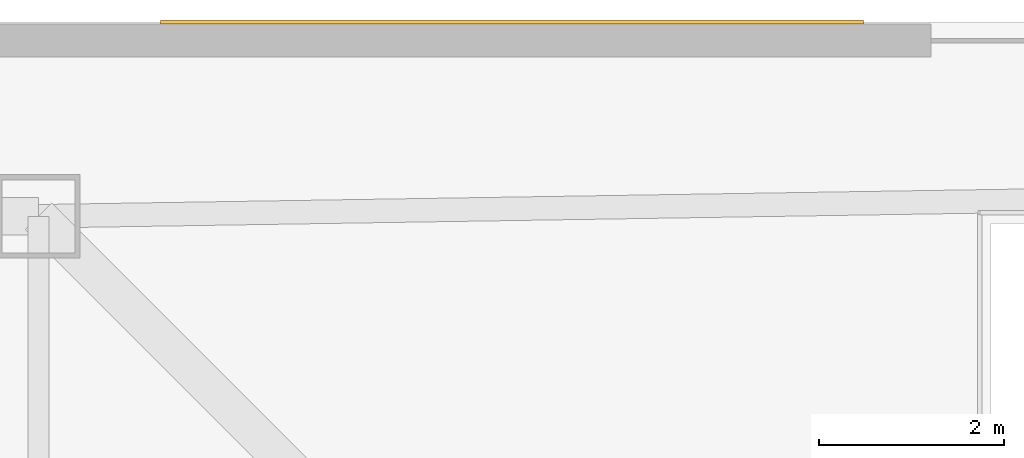
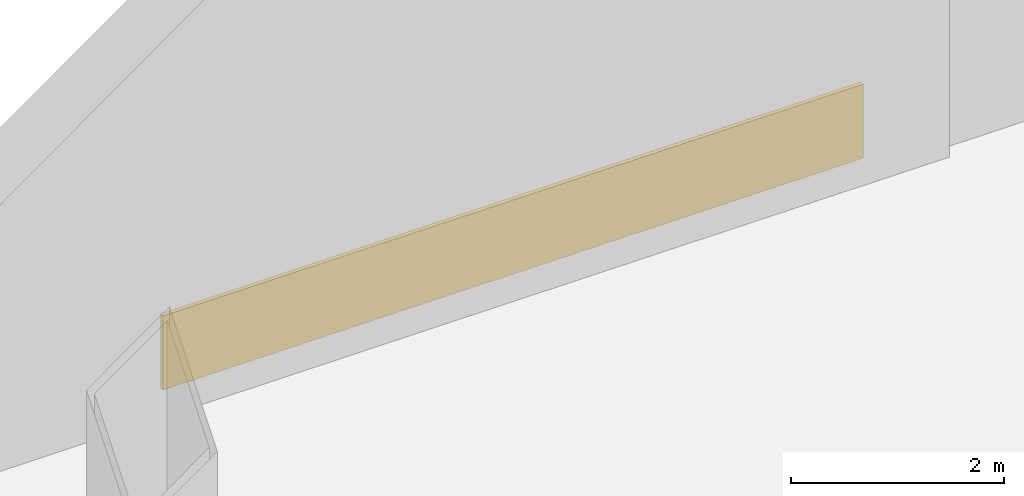
# One storey, part 20 of 21: 1 covering.
"""IFC4 building model written with IfcOpenShell, lengths in metres."""

from ifc_helpers import new_model, si_unit, direction, frame, origin, origin_2d, place, context, subcontext, project, spatial, rectangle, extrude, material, layer, layer_set, type_object, element, save


model = new_model("IFC4")

# Units and contexts
model_context = context("Model", 3, precision=1e-05, world=origin(), true_north=direction((0.0, 1.0)))
body_context = subcontext(model_context, "Body", "Model", "MODEL_VIEW")
ifc_project = project(units=[si_unit("LENGTHUNIT", "METRE"), si_unit("AREAUNIT", "SQUARE_METRE"), si_unit("VOLUMEUNIT", "CUBIC_METRE"), si_unit("PLANEANGLEUNIT", "RADIAN"), si_unit("MASSUNIT", "GRAM", prefix="KILO")], contexts=[model_context])

# Site, building, storey
site_placement = place(None, origin())
site = spatial("IfcSite", under=ifc_project, at=site_placement, CompositionType="ELEMENT")
building_placement = place(site_placement, origin())
building = spatial("IfcBuilding", under=site, at=building_placement, Name="Qhalaya Broadcast Tower", CompositionType="ELEMENT")
storey_placement = place(building_placement, origin())
storey = spatial("IfcBuildingStorey", under=building, at=storey_placement, Name="L00", CompositionType="ELEMENT", Elevation=0.0)

# Covering
ifc_material = material(Name="Fired Architectural Terracotta", Category="masonry")
ifc_layer = layer(ifc_material, 0.044921875, Name="Fired Architectural Terracotta")
ifc_layer_set = layer_set([ifc_layer], Name="Fired Architectural Terracotta")
covering_type = type_object("IfcCoveringType", Name="Polychrome Terracotta Rainscreen Cladding CLD-01", PredefinedType="CLADDING", material=ifc_layer_set)
covering_placement = place(storey_placement, frame((25.320068359375, 28.0, 0.02490234375), z_axis=(0.0, 0.0, 1.0), x_axis=(1.0, 0.0, 0.0)))
element("IfcCovering", 1, at=covering_placement, inside=storey, type_object=covering_type, Name="L00 Terracotta Spandrel Cladding EW-NE", PredefinedType="CLADDING", context=body_context, shape_type="SweptSolid", body=[
    extrude(rectangle(XDim=7.60009765625, YDim=0.044921875, at=origin_2d()), origin(), (0.0, 0.0, 1.0), 0.85009765625),
])

save(model, "model.ifc")
